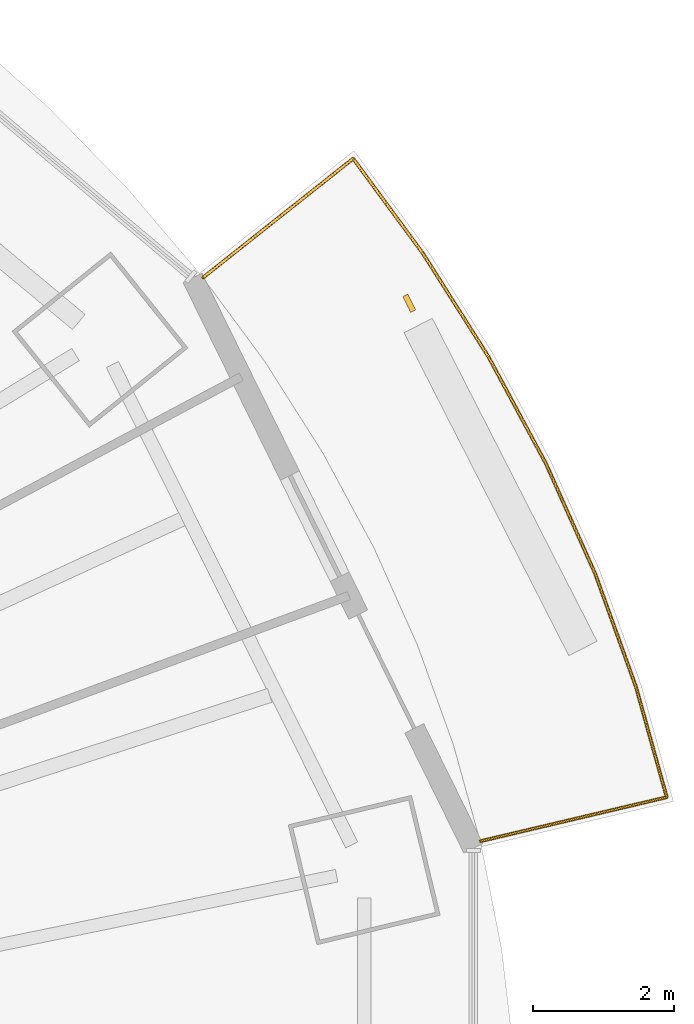
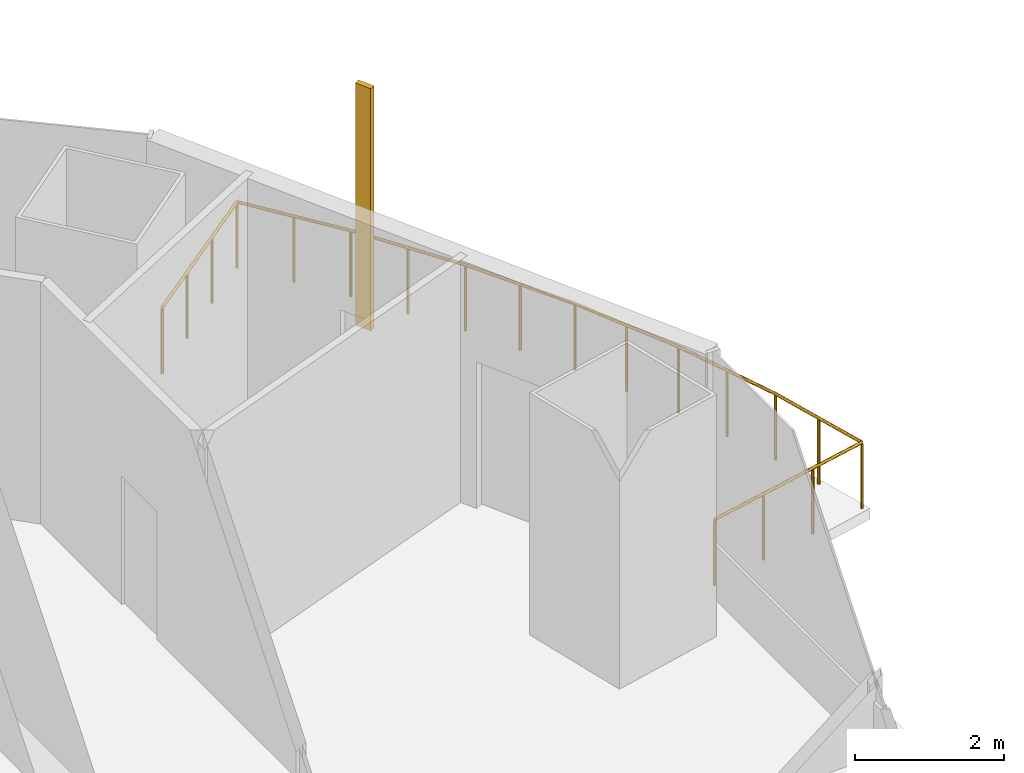
# One storey, part 15 of 16: 1 railing, 1 shading device.
"""IFC4 building model written with IfcOpenShell, lengths in metres."""

import ifcopenshell
import ifcopenshell.guid

model = None  # the IFC model being written
_history = None  # IfcOwnerHistory: only IFC2X3 demands one
_inside = {}  # id of a spatial element -> (the spatial element, [elements in it])
_under = {}  # id of a project, library or spatial element -> (it, [spatial elements below it])
_declared = {}  # id of a project -> (the project, [libraries it declares])
_typed = {}  # id of a type object -> (the type object, [elements of that type])
_made_of = {}  # id of a material, layer set ... -> (it, [elements and type objects made of it])


def new_model(schema):
    """Start an empty IFC model of exactly this schema.

    Asked for "IFC4X3", IfcOpenShell would pick the latest addendum, in which some entities
    have other attributes; the version numbers below select the first issue.
    IFC2X3 requires an IfcOwnerHistory on every rooted entity: one is made here for all.
    """
    global model, _history
    if schema == "IFC4X3":
        model = ifcopenshell.file(schema_version=(4, 3, 0, 0))
    else:
        model = ifcopenshell.file(schema=schema)
    _inside.clear()
    _under.clear()
    _declared.clear()
    _typed.clear()
    _made_of.clear()
    _history = None
    if model.schema == "IFC2X3":
        org = make("IfcOrganization", Name="unknown")
        user = make(
            "IfcPersonAndOrganization",
            ThePerson=make("IfcPerson", FamilyName="unknown"),
            TheOrganization=org,
        )
        app = make(
            "IfcApplication",
            ApplicationDeveloper=org,
            Version="unknown",
            ApplicationFullName="unknown",
            ApplicationIdentifier="unknown",
        )
        _history = make(
            "IfcOwnerHistory",
            OwningUser=user,
            OwningApplication=app,
            ChangeAction="ADDED",
            CreationDate=0,
        )
    return model


def make(cls, **values):
    """One entity of the class cls with the attributes given. An attribute that is None is left unset."""
    return model.create_entity(
        cls, **{name: value for name, value in values.items() if value is not None}
    )


def rooted(cls, **values):
    """An entity with a GlobalId (a new one), such as an element, a storey or a relation."""
    return make(cls, GlobalId=ifcopenshell.guid.new(), OwnerHistory=_history, **values)


def si_unit(unit_type, name, prefix=None):
    """IfcSIUnit, for example si_unit("LENGTHUNIT", "METRE", prefix="MILLI")."""
    return make("IfcSIUnit", UnitType=unit_type, Prefix=prefix, Name=name)


def assignment(units):
    """IfcUnitAssignment: the units of a project."""
    return None if units is None else make("IfcUnitAssignment", Units=units)


def point(xyz):
    """IfcCartesianPoint."""
    return None if xyz is None else make("IfcCartesianPoint", Coordinates=xyz)


def direction(xyz):
    """IfcDirection."""
    return None if xyz is None else make("IfcDirection", DirectionRatios=xyz)


def frame(location, z_axis=None, x_axis=None):
    """IfcAxis2Placement3D, a coordinate frame: its origin and axes. An axis left out is left unset."""
    return make(
        "IfcAxis2Placement3D",
        Location=point(location),
        Axis=direction(z_axis),
        RefDirection=direction(x_axis),
    )


def frame_2d(location, x_axis=None):
    """IfcAxis2Placement2D, a coordinate frame in the plane: its origin and x axis."""
    return make(
        "IfcAxis2Placement2D", Location=point(location), RefDirection=direction(x_axis)
    )


def origin():
    """The frame at (0, 0, 0) with its axes left unset."""
    return frame((0.0, 0.0, 0.0))


def origin_2d():
    """The frame at (0, 0) in the plane with its x axis left unset."""
    return frame_2d((0.0, 0.0))


def place(relative_to, where):
    """IfcLocalPlacement: puts the frame where relative to a parent placement (None: the world)."""
    return make(
        "IfcLocalPlacement", PlacementRelTo=relative_to, RelativePlacement=where
    )


def context(
    kind, dimensions, precision=None, world=None, true_north=None, identifier=None
):
    """IfcGeometricRepresentationContext, for example the 3D "Model" context."""
    return make(
        "IfcGeometricRepresentationContext",
        ContextIdentifier=identifier,
        ContextType=kind,
        CoordinateSpaceDimension=dimensions,
        Precision=precision,
        WorldCoordinateSystem=world,
        TrueNorth=true_north,
    )


def subcontext(parent, identifier, kind, view, scale=None):
    """IfcGeometricRepresentationSubContext, for example "Body" below "Model"."""
    return make(
        "IfcGeometricRepresentationSubContext",
        ContextIdentifier=identifier,
        ContextType=kind,
        ParentContext=parent,
        TargetScale=scale,
        TargetView=view,
    )


def project(units=None, contexts=None):
    """IfcProject with its units and contexts."""
    return rooted(
        "IfcProject",
        Name="project",
        RepresentationContexts=contexts,
        UnitsInContext=assignment(units),
    )


def spatial(cls, under=None, at=None, **own):
    """A site, building, storey or space (cls), placed at a placement, below another one or the project."""
    s = rooted(cls, ObjectPlacement=at, **own)
    if under is not None:
        _under.setdefault(under.id(), (under, []))[1].append(s)
    return s


def profile(cls, at=None, kind="AREA", **sizes):
    """A parametric profile (cls). Its sizes go by their IFC names, for example OverallWidth=200.0."""
    return make(cls, ProfileType=kind, Position=at, **sizes)


def rectangle(**sizes):
    """IfcRectangleProfileDef."""
    return profile("IfcRectangleProfileDef", **sizes)


def circle(**sizes):
    """IfcCircleProfileDef."""
    return profile("IfcCircleProfileDef", **sizes)


def extrude(swept, where, along, depth):
    """IfcExtrudedAreaSolid: the profile swept, set in the frame where, extruded along a direction by depth."""
    return make(
        "IfcExtrudedAreaSolid",
        SweptArea=swept,
        Position=where,
        ExtrudedDirection=direction(along),
        Depth=depth,
    )


def shape(context_of_items, identifier, shape_type, items):
    """IfcShapeRepresentation: the items that make up one representation, for example the "Body"."""
    return make(
        "IfcShapeRepresentation",
        ContextOfItems=context_of_items,
        RepresentationIdentifier=identifier,
        RepresentationType=shape_type,
        Items=items,
    )


def material(Name=None, Category=None):
    """IfcMaterial."""
    return make("IfcMaterial", Name=Name, Category=Category)


def material_profile(
    of_material, cross_section, Name=None, Category=None, Priority=None
):
    """IfcMaterialProfile: a cross section and its material."""
    return make(
        "IfcMaterialProfile",
        Name=Name,
        Material=of_material,
        Profile=cross_section,
        Priority=Priority,
        Category=Category,
    )


def profile_set(profiles, Name=None, composite=None):
    """IfcMaterialProfileSet."""
    return make(
        "IfcMaterialProfileSet",
        Name=Name,
        MaterialProfiles=profiles,
        CompositeProfile=composite,
    )


def made_of(thing, what):
    """Note that an element or type object is made of a material, layer set ...; save() writes the relation."""
    if what is not None:
        _made_of.setdefault(what.id(), (what, []))[1].append(thing)
    return thing


def type_object(cls, material=None, **own):
    """A type object (cls), such as IfcWallType, which elements share."""
    return made_of(rooted(cls, **own), material)


def element(
    cls,
    number,
    at=None,
    inside=None,
    cuts=None,
    type_object=None,
    material=None,
    context=None,
    identifier="Body",
    shape_type=None,
    held_by="IfcProductDefinitionShape",
    body=None,
    shapes=None,
    **own,
):
    """One element of the class cls, such as IfcWall. Its Tag is "e" and its number.

    at: its placement. inside: the storey or other place that contains it. cuts: it is an
    opening in that element (IfcRelVoidsElement). A single representation is given by context,
    identifier, shape_type and body (its items); several are given by shapes. held_by: the class
    of the entity that holds the representations. save() writes the other relations.
    """
    e = rooted(cls, Tag="e%d" % number, ObjectPlacement=at, **own)
    if body is not None:
        shapes = [shape(context, identifier, shape_type, body)]
    if shapes is not None:
        e.Representation = make(held_by, Representations=shapes)
    if inside is not None:
        _inside.setdefault(inside.id(), (inside, []))[1].append(e)
    if cuts is not None:
        rooted(
            "IfcRelVoidsElement", RelatingBuildingElement=cuts, RelatedOpeningElement=e
        )
    if type_object is not None:
        _typed.setdefault(type_object.id(), (type_object, []))[1].append(e)
    return made_of(e, material)


def aggregate(whole, parts):
    """IfcRelAggregates: a whole, such as a stair, and the parts it consists of."""
    return rooted("IfcRelAggregates", RelatingObject=whole, RelatedObjects=parts)


def save(model, path):
    """Write the relations noted so far, then the file.

    IfcRelAggregates (storeys below a building ...), IfcRelContainedInSpatialStructure (elements
    in a storey), IfcRelDefinesByType, IfcRelAssociatesMaterial and IfcRelDeclares: one each for
    every whole, place, type object, material and project.
    """
    for whole, parts in _under.values():
        aggregate(whole, parts)
    for where, things in _inside.values():
        rooted(
            "IfcRelContainedInSpatialStructure",
            RelatedElements=things,
            RelatingStructure=where,
        )
    for kind, things in _typed.values():
        rooted("IfcRelDefinesByType", RelatedObjects=things, RelatingType=kind)
    for what, things in _made_of.values():
        rooted("IfcRelAssociatesMaterial", RelatedObjects=things, RelatingMaterial=what)
    for by, libraries in _declared.values():
        rooted("IfcRelDeclares", RelatingContext=by, RelatedDefinitions=libraries)
    model.write(path)


model = new_model("IFC4")

# Units and contexts
model_context = context("Model", 3, precision=1e-05, world=origin(), true_north=direction((0.0, 1.0)))
body_context = subcontext(model_context, "Body", "Model", "MODEL_VIEW")
ifc_project = project(units=[si_unit("LENGTHUNIT", "METRE"), si_unit("AREAUNIT", "SQUARE_METRE"), si_unit("VOLUMEUNIT", "CUBIC_METRE"), si_unit("PLANEANGLEUNIT", "RADIAN"), si_unit("MASSUNIT", "GRAM", prefix="KILO")], contexts=[model_context])

# Site, building, storey
site_placement = place(None, origin())
site = spatial("IfcSite", under=ifc_project, at=site_placement, CompositionType="ELEMENT")
building_placement = place(site_placement, origin())
building = spatial("IfcBuilding", under=site, at=building_placement, Name="Marenthal Gate Tower", CompositionType="ELEMENT")
storey_placement = place(building_placement, frame((0.0, 0.0, 346.75)))
storey = spatial("IfcBuildingStorey", under=building, at=storey_placement, Name="L78", CompositionType="ELEMENT", Elevation=346.75)

# Railing
ifc_material_1 = material(Name="Stainless steel", Category="steel")
railing_type = type_object("IfcRailingType", Name="Balcony guard 1100", PredefinedType="GUARDRAIL", material=ifc_material_1)
railing_placement = place(storey_placement, frame((21.95556640625, 13.39111328125, 0.0)))
element("IfcRailing", 1, at=railing_placement, inside=storey, type_object=railing_type, Name="Balcony guard L78 bay 1", PredefinedType="GUARDRAIL", context=body_context, shape_type="SweptSolid", body=[
    extrude(circle(Radius=0.02392578125, at=origin_2d()), frame((0.0, 0.0, 1.076171875), z_axis=(0.783691471993, 0.620975869757, -0.014718896176), x_axis=(-0.621043146628, 0.783776377563, 0.0)), (0.0, 0.0, 1.0), 2.72021484375),
    extrude(circle(Radius=0.02392578125, at=origin_2d()), frame((2.1318359375, 1.689208984375, 1.0361328125), z_axis=(0.592490887892, -0.805577151963, 0.0), x_axis=(0.805577151963, 0.592490887892, 0.0)), (0.0, 0.0, 1.0), 1.67041015625),
    extrude(circle(Radius=0.02392578125, at=origin_2d()), frame((3.12158203125, 0.343505859375, 1.0361328125), z_axis=(0.535757035565, -0.84437219213, 0.0), x_axis=(0.84437219213, 0.535757035565, 0.0)), (0.0, 0.0, 1.0), 1.738037109375),
    extrude(circle(Radius=0.02392578125, at=origin_2d()), frame((4.052734375, -1.1240234375, 1.0361328125), z_axis=(0.473652895145, -0.880711607123, 0.0), x_axis=(0.880711607123, 0.473652895145, 0.0)), (0.0, 0.0, 1.0), 1.726806640625),
    extrude(circle(Radius=0.02392578125, at=origin_2d()), frame((4.87060546875, -2.644775390625, 1.0361328125), z_axis=(0.40799807197, -0.912982789142, 0.0), x_axis=(0.912982789142, 0.40799807197, 0.0)), (0.0, 0.0, 1.0), 1.716796875),
    extrude(circle(Radius=0.02392578125, at=origin_2d()), frame((5.571044921875, -4.212158203125, 1.0361328125), z_axis=(0.338780209169, -0.940865542931, 0.0), x_axis=(0.940865542931, 0.338780209169, 0.0)), (0.0, 0.0, 1.0), 1.7080078125),
    extrude(circle(Radius=0.02392578125, at=origin_2d()), frame((6.149658203125, -5.819091796875, 1.0361328125), z_axis=(0.268568220157, -0.963260666238, 0.0), x_axis=(0.963260666238, 0.268568220157, 0.0)), (0.0, 0.0, 1.0), 1.620849609375),
    extrude(circle(Radius=0.02392578125, at=origin_2d()), frame((6.5849609375, -7.38037109375, 1.0361328125), z_axis=(-0.973182110168, -0.229564721303, 0.014717988387), x_axis=(0.229589589404, -0.973287532252, 0.0)), (0.0, 0.0, 1.0), 2.720458984375),
    extrude(circle(Radius=0.02099609375, at=origin_2d()), origin(), (0.0, 0.0, 1.0), 1.052001953125),
    extrude(circle(Radius=0.02099609375, at=origin_2d()), frame((0.710693359375, 0.56298828125, -0.013427734375)), (0.0, 0.0, 1.0), 1.052001953125),
    extrude(circle(Radius=0.02099609375, at=origin_2d()), frame((1.421142578125, 1.126220703125, -0.026611328125)), (0.0, 0.0, 1.0), 1.052001953125),
    extrude(circle(Radius=0.02099609375, at=origin_2d()), frame((2.1318359375, 1.689208984375, -0.0400390625)), (0.0, 0.0, 1.0), 1.052001953125),
    extrude(circle(Radius=0.02099609375, at=origin_2d()), frame((2.626708984375, 1.016357421875, -0.0400390625)), (0.0, 0.0, 1.0), 1.052001953125),
    extrude(circle(Radius=0.02099609375, at=origin_2d()), frame((3.12158203125, 0.343505859375, -0.0400390625)), (0.0, 0.0, 1.0), 1.052001953125),
    extrude(circle(Radius=0.02099609375, at=origin_2d()), frame((3.587158203125, -0.39013671875, -0.0400390625)), (0.0, 0.0, 1.0), 1.052001953125),
    extrude(circle(Radius=0.02099609375, at=origin_2d()), frame((4.052734375, -1.1240234375, -0.0400390625)), (0.0, 0.0, 1.0), 1.052001953125),
    extrude(circle(Radius=0.02099609375, at=origin_2d()), frame((4.461669921875, -1.88427734375, -0.0400390625)), (0.0, 0.0, 1.0), 1.052001953125),
    extrude(circle(Radius=0.02099609375, at=origin_2d()), frame((4.87060546875, -2.644775390625, -0.0400390625)), (0.0, 0.0, 1.0), 1.052001953125),
    extrude(circle(Radius=0.02099609375, at=origin_2d()), frame((5.220703125, -3.428466796875, -0.0400390625)), (0.0, 0.0, 1.0), 1.052001953125),
    extrude(circle(Radius=0.02099609375, at=origin_2d()), frame((5.571044921875, -4.212158203125, -0.0400390625)), (0.0, 0.0, 1.0), 1.052001953125),
    extrude(circle(Radius=0.02099609375, at=origin_2d()), frame((5.8603515625, -5.015625, -0.0400390625)), (0.0, 0.0, 1.0), 1.052001953125),
    extrude(circle(Radius=0.02099609375, at=origin_2d()), frame((6.149658203125, -5.819091796875, -0.0400390625)), (0.0, 0.0, 1.0), 1.052001953125),
    extrude(circle(Radius=0.02099609375, at=origin_2d()), frame((6.3671875, -6.599609375, -0.0400390625)), (0.0, 0.0, 1.0), 1.052001953125),
    extrude(circle(Radius=0.02099609375, at=origin_2d()), frame((6.5849609375, -7.38037109375, -0.0400390625)), (0.0, 0.0, 1.0), 1.052001953125),
    extrude(circle(Radius=0.02099609375, at=origin_2d()), frame((5.702392578125, -7.588623046875, -0.026611328125)), (0.0, 0.0, 1.0), 1.052001953125),
    extrude(circle(Radius=0.02099609375, at=origin_2d()), frame((4.820068359375, -7.796630859375, -0.013427734375)), (0.0, 0.0, 1.0), 1.052001953125),
    extrude(circle(Radius=0.02099609375, at=origin_2d()), frame((3.9375, -8.0048828125, 0.0)), (0.0, 0.0, 1.0), 1.052001953125),
])

# Shading device
ifc_material_2 = material(Name="Terracotta", Category="masonry")
ifc_material_profile = material_profile(ifc_material_2, rectangle(XDim=0.25, YDim=0.080078125, at=origin_2d()), Name="Terracotta baguette 250x80")
ifc_profile_set = profile_set([ifc_material_profile], Name="Terracotta")
shading_device_type = type_object("IfcShadingDeviceType", Name="Terracotta BAGUETTE SCREEN 250x80", PredefinedType="USERDEFINED", material=ifc_profile_set)
shading_device_placement = place(storey_placement, frame((24.883056640625, 13.0263671875, -0.0400390625), z_axis=(0.0, 0.0, 1.0), x_axis=(-0.441181376026, 0.897417959174, 0.0)))
element("IfcShadingDevice", 2, at=shading_device_placement, inside=storey, type_object=shading_device_type, Name="Terracotta BAGUETTE L78 bay 1R", ObjectType="BAGUETTE SCREEN", PredefinedType="USERDEFINED", context=body_context, shape_type="SweptSolid", body=[
    extrude(rectangle(XDim=0.25, YDim=0.080078125, at=origin_2d()), origin(), (0.0, 0.0, 1.0), 3.969970703125),
])

save(model, "model.ifc")
